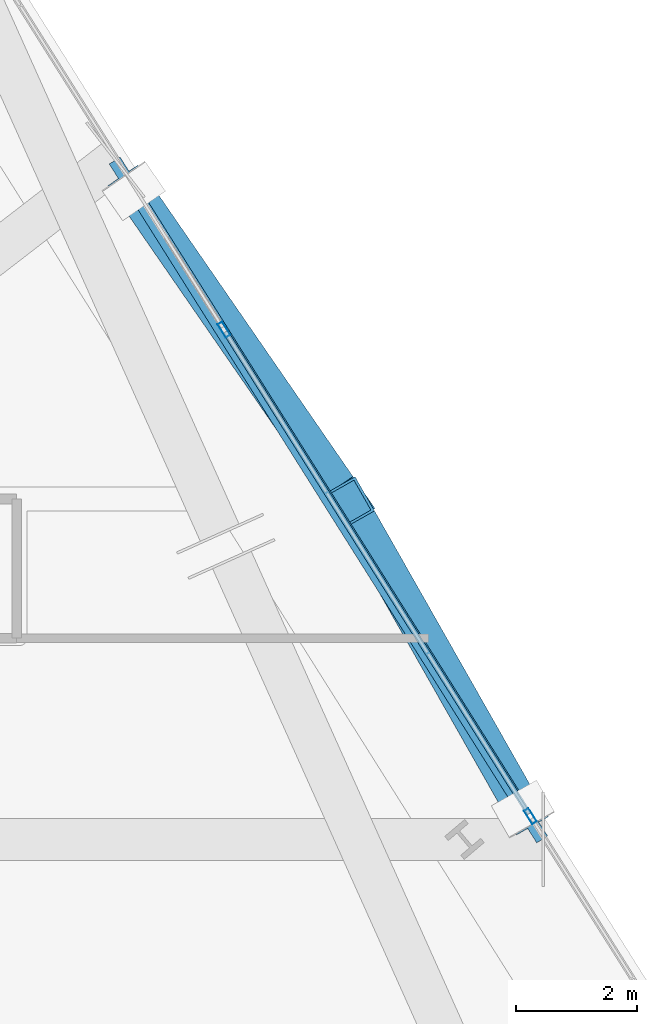
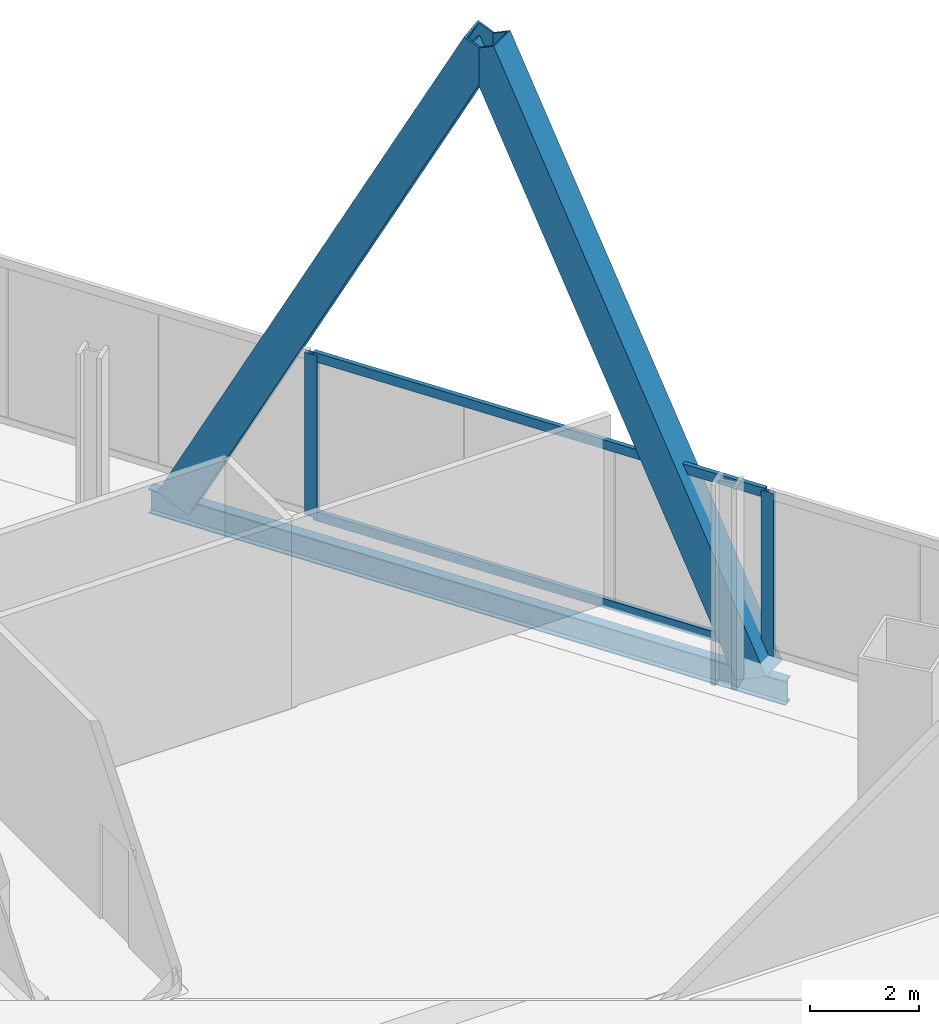
# One storey, part 16 of 29: 6 members, 1 beam, 1 element without a shape of its own.
"""IFC4 building model written with IfcOpenShell, lengths in metres."""

from ifc_helpers import new_model, si_unit, direction, frame, origin, origin_2d, place, context, subcontext, project, spatial, hollow_rectangle, i_section, extrude, material, material_profile, profile_set, type_object, element, aggregate, save


model = new_model("IFC4")

# Units and contexts
model_context = context("Model", 3, precision=1e-05, world=origin(), true_north=direction((0.0, 1.0)))
body_context = subcontext(model_context, "Body", "Model", "MODEL_VIEW")
ifc_project = project(units=[si_unit("LENGTHUNIT", "METRE"), si_unit("AREAUNIT", "SQUARE_METRE"), si_unit("VOLUMEUNIT", "CUBIC_METRE"), si_unit("PLANEANGLEUNIT", "RADIAN"), si_unit("MASSUNIT", "GRAM", prefix="KILO")], contexts=[model_context])

# Site, building, storey
site_placement = place(None, origin())
site = spatial("IfcSite", under=ifc_project, at=site_placement, CompositionType="ELEMENT")
building_placement = place(site_placement, origin())
building = spatial("IfcBuilding", under=site, at=building_placement, Name="Haldenkirk Collegiate Tower", CompositionType="ELEMENT")
storey_placement = place(building_placement, frame((0.0, 0.0, 136.199951171875)))
storey = spatial("IfcBuildingStorey", under=building, at=storey_placement, Name="L33", CompositionType="ELEMENT", Elevation=136.199951171875)

# Beam
ifc_material_1 = material(Name="Steel ASTM A992 Grade 50", Category="steel")
ifc_material_profile_1 = material_profile(ifc_material_1, i_section(OverallWidth=0.2119140625, OverallDepth=0.5439453125, WebThickness=0.01318359375, FlangeThickness=0.021240234375, at=origin_2d()), Name="W21X83")
ifc_profile_set_1 = profile_set([ifc_material_profile_1], Name="Steel ASTM A992 Grade 50")
beam_type = type_object("IfcBeamType", Name="BM-SPANDREL-W21X83", PredefinedType="SPANDREL", material=ifc_profile_set_1)
beam_placement = place(storey_placement, frame((62.482421875, 30.82421875, -0.671875), z_axis=(-0.532871395291, 0.846196239699, 0.0), x_axis=(-0.846196239699, -0.532871395291, 0.0)))
element("IfcBeam", 1, at=beam_placement, inside=storey, type_object=beam_type, Name="L33 outer facade edge beam 2", PredefinedType="SPANDREL", context=body_context, shape_type="SweptSolid", body=[
    extrude(i_section(OverallWidth=0.2119140625, OverallDepth=0.5439453125, WebThickness=0.01318359375, FlangeThickness=0.021240234375, at=origin_2d()), origin(), (0.0, 0.0, 1.0), 13.25634765625),
])

# Curtain wall, members
ifc_material_2 = material(Name="Anodised architectural bronze aluminium", Category="aluminium")
curtain_wall_type = type_object("IfcCurtainWallType", Name="CW-SYS4-SKYGARDEN", PredefinedType="USERDEFINED", material=ifc_material_2)
curtain_wall_placement = place(storey_placement, origin())
curtain_wall = element("IfcCurtainWall", 2, at=curtain_wall_placement, inside=storey, type_object=curtain_wall_type, Name="L33 Sky-garden tall bronze curtain wall", ObjectType="UNITISED CURTAIN WALL", PredefinedType="USERDEFINED")
ifc_material_profile_2 = material_profile(ifc_material_2, hollow_rectangle(XDim=0.090087890625, YDim=0.260009765625, WallThickness=0.0048828125, at=origin_2d()), Name="CW-MUL-04")
ifc_profile_set_2 = profile_set([ifc_material_profile_2], Name="Anodised architectural bronze aluminium")
member_type_1 = type_object("IfcMemberType", Name="CW-MUL-04", PredefinedType="MULLION", material=ifc_profile_set_2)
member_1_placement = place(storey_placement, frame((57.22509765625, 39.248046875, 0.0), z_axis=(0.0, 0.0, 1.0), x_axis=(0.846192846973, 0.532876782879, 0.0)))
member_1 = element("IfcMember", 3, at=member_1_placement, type_object=member_type_1, Name="CW-04 mullion 3", PredefinedType="MULLION", context=body_context, shape_type="SweptSolid", body=[
    extrude(hollow_rectangle(XDim=0.090087890625, YDim=0.260009765625, WallThickness=0.0048828125, at=origin_2d()), origin(), (0.0, 0.0, 1.0), 3.6611328125),
])
member_2_placement = place(storey_placement, frame((62.287353515625, 31.209228515625, 0.0), z_axis=(0.0, 0.0, 1.0), x_axis=(0.846192846973, 0.532876782879, 0.0)))
member_2 = element("IfcMember", 4, at=member_2_placement, type_object=member_type_1, Name="CW-04 mullion 4", PredefinedType="MULLION", context=body_context, shape_type="SweptSolid", body=[
    extrude(hollow_rectangle(XDim=0.090087890625, YDim=0.260009765625, WallThickness=0.0048828125, at=origin_2d()), origin(), (0.0, 0.0, 1.0), 3.6611328125),
])
ifc_material_profile_3 = material_profile(ifc_material_2, hollow_rectangle(XDim=0.090087890625, YDim=0.2099609375, WallThickness=0.0048828125, at=origin_2d()), Name="CW-TRN-04")
ifc_profile_set_3 = profile_set([ifc_material_profile_3], Name="Anodised architectural bronze aluminium")
member_type_2 = type_object("IfcMemberType", Name="CW-TRN-04", PredefinedType="USERDEFINED", material=ifc_profile_set_3)
member_3_placement = place(storey_placement, frame((57.2490234375, 39.2099609375, 0.045166015625), z_axis=(0.532880704143, -0.846190377605, 0.0), x_axis=(0.846190377605, 0.532880704143, 0.0)))
member_3 = element("IfcMember", 5, at=member_3_placement, type_object=member_type_2, Name="CW-04 transom 3.1", ObjectType="TRANSOM", PredefinedType="USERDEFINED", context=body_context, shape_type="SweptSolid", body=[
    extrude(hollow_rectangle(XDim=0.090087890625, YDim=0.2099609375, WallThickness=0.0048828125, at=origin_2d()), origin(), (0.0, 0.0, 1.0), 9.409912109375),
])
member_4_placement = place(storey_placement, frame((57.2490234375, 39.2099609375, 3.615966796875), z_axis=(0.532880704143, -0.846190377605, 0.0), x_axis=(0.846190377605, 0.532880704143, 0.0)))
member_4 = element("IfcMember", 6, at=member_4_placement, type_object=member_type_2, Name="CW-04 transom 3.2", ObjectType="TRANSOM", PredefinedType="USERDEFINED", context=body_context, shape_type="SweptSolid", body=[
    extrude(hollow_rectangle(XDim=0.090087890625, YDim=0.2099609375, WallThickness=0.0048828125, at=origin_2d()), origin(), (0.0, 0.0, 1.0), 9.409912109375),
])
aggregate(curtain_wall, [member_1, member_2, member_3, member_4])

# Members
ifc_material_3 = material(Name="Steel ASTM A572 Grade 50", Category="steel")
ifc_material_profile_4 = material_profile(ifc_material_3, hollow_rectangle(XDim=0.60009765625, YDim=0.719970703125, WallThickness=0.044921875, at=origin_2d()), Name="BOX720X600X45")
ifc_profile_set_4 = profile_set([ifc_material_profile_4], Name="Steel ASTM A572 Grade 50")
member_type_3 = type_object("IfcMemberType", Name="MBR-MEGABRACE-BOX720X600X45", PredefinedType="BRACE", material=ifc_profile_set_4)
member_5_placement = place(storey_placement, frame((62.162841796875, 31.331787109375, -0.409912109375), z_axis=(-0.213800059339, 0.376349169398, 0.901471484474), x_axis=(-0.869490985251, -0.493948809663, 0.0)))
element("IfcMember", 7, at=member_5_placement, inside=storey, type_object=member_type_3, Name="Perimeter Mega Brace Z3 L33-L35 EL", PredefinedType="BRACE", context=body_context, shape_type="SweptSolid", body=[
    extrude(hollow_rectangle(XDim=0.60009765625, YDim=0.719970703125, WallThickness=0.044921875, at=origin_2d()), origin(), (0.0, 0.0, 1.0), 13.433349609375),
])
member_6_placement = place(storey_placement, frame((55.738037109375, 41.5341796875, -0.409912109375), z_axis=(0.260667683556, -0.377620632012, 0.888512811966), x_axis=(0.822968601828, 0.568086859912, 0.0)))
element("IfcMember", 8, at=member_6_placement, inside=storey, type_object=member_type_3, Name="Perimeter Mega Brace Z3 L33-L35 ER", PredefinedType="BRACE", context=body_context, shape_type="SweptSolid", body=[
    extrude(hollow_rectangle(XDim=0.60009765625, YDim=0.719970703125, WallThickness=0.044921875, at=origin_2d()), origin(), (0.0, 0.0, 1.0), 13.62939453125),
])

save(model, "model.ifc")
